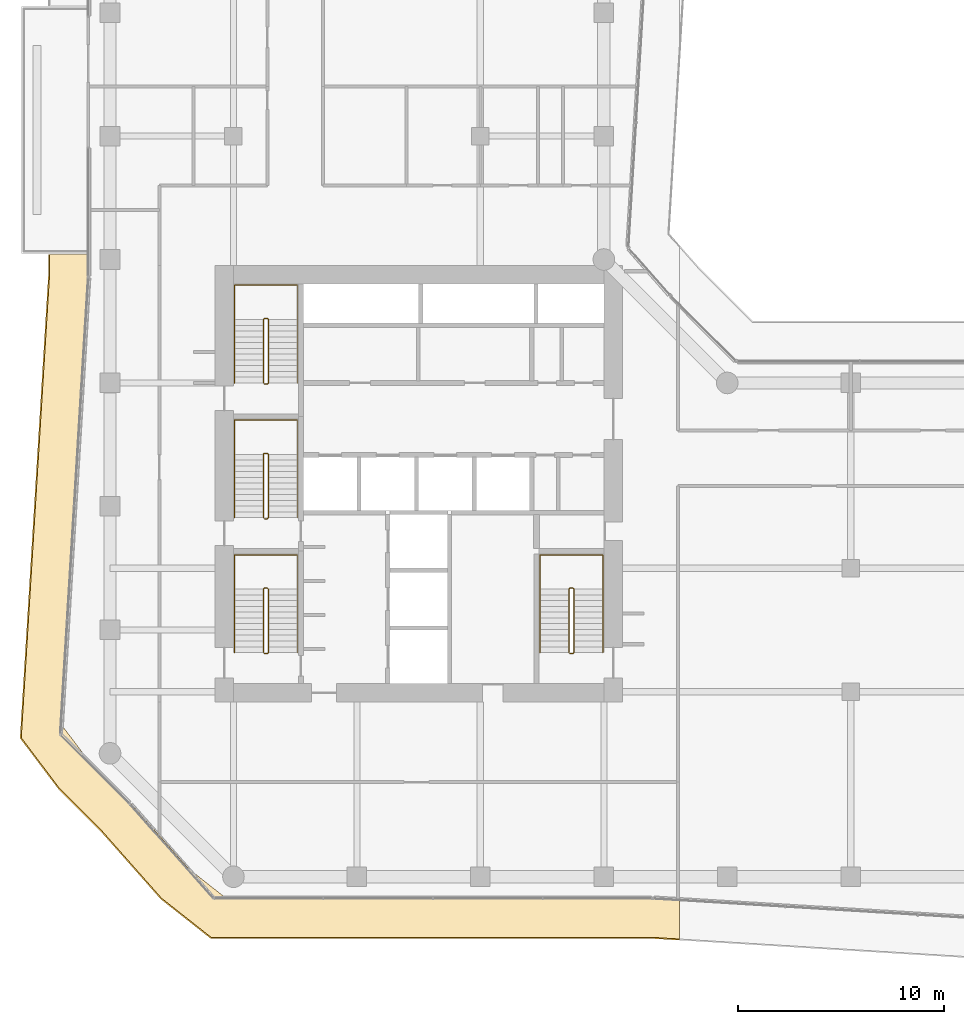
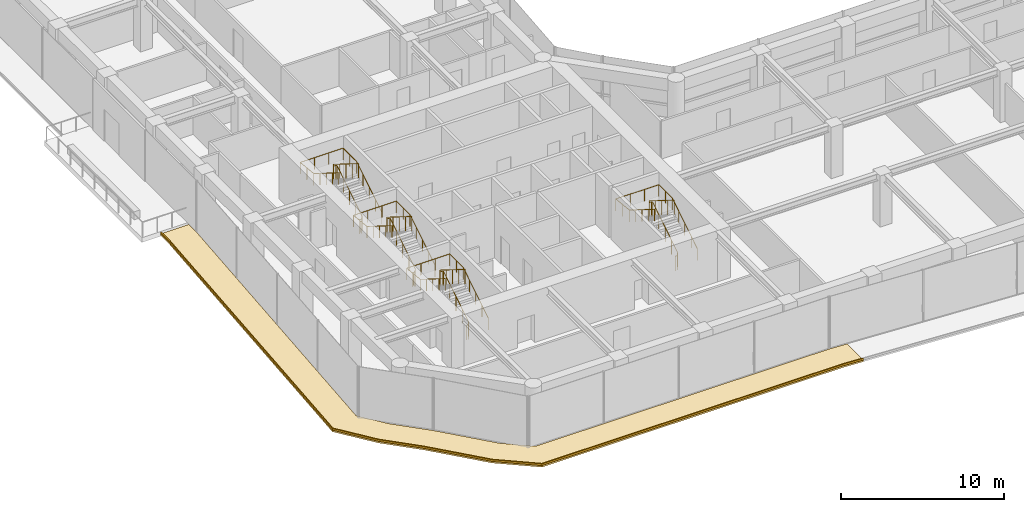
# One storey, part 26 of 27: 8 railings, 2 coverings.
"""IFC4 building model written with IfcOpenShell, lengths in metres."""

from ifc_helpers import new_model, si_unit, direction, frame, origin, origin_2d, place, context, subcontext, project, spatial, polyline, circle, outline, extrude, material, layer, layer_set, type_object, element, save


model = new_model("IFC4")

# Units and contexts
model_context = context("Model", 3, precision=1e-05, world=origin(), true_north=direction((0.0, 1.0)))
body_context = subcontext(model_context, "Body", "Model", "MODEL_VIEW")
ifc_project = project(units=[si_unit("LENGTHUNIT", "METRE"), si_unit("AREAUNIT", "SQUARE_METRE"), si_unit("VOLUMEUNIT", "CUBIC_METRE"), si_unit("PLANEANGLEUNIT", "RADIAN"), si_unit("MASSUNIT", "GRAM", prefix="KILO")], contexts=[model_context])

# Site, building, storey
site_placement = place(None, origin())
site = spatial("IfcSite", under=ifc_project, at=site_placement, CompositionType="ELEMENT")
building_placement = place(site_placement, origin())
building = spatial("IfcBuilding", under=site, at=building_placement, Name="Welwitschia Terrace Campus", CompositionType="ELEMENT")
storey_placement = place(building_placement, frame((0.0, 0.0, 37.39990234375)))
storey = spatial("IfcBuildingStorey", under=building, at=storey_placement, Name="L08", CompositionType="ELEMENT", Elevation=37.39990234375)

# Railings
ifc_material_1 = material(Name="Steel S355", Category="steel")
railing_type_1 = type_object("IfcRailingType", Name="Stair guard 1100", PredefinedType="GUARDRAIL", material=ifc_material_1)
railing_1_placement = place(storey_placement, frame((7.5, 6.85009765625, 0.0)))
element("IfcRailing", 1, at=railing_1_placement, inside=storey, type_object=railing_type_1, Name="L08 S1 stair guard", PredefinedType="GUARDRAIL", context=body_context, shape_type="SweptSolid", body=[
    extrude(circle(Radius=0.02392578125, at=origin_2d()), frame((0.0, 0.0, 1.076171875), z_axis=(1.0, 0.0, 0.0), x_axis=(0.0, 1.0, 0.0)), (0.0, 0.0, 1.0), 0.14990234375),
    extrude(circle(Radius=0.02392578125, at=origin_2d()), frame((0.14990234375, 0.0, 1.076171875), z_axis=(0.265155923931, 0.263862480399, 0.927399011991), x_axis=(-0.705375805398, 0.708833529934, 0.0)), (0.0, 0.0, 1.0), 0.188720703125),
    extrude(circle(Radius=0.02392578125, at=origin_2d()), frame((0.199951171875, 0.0498046875, 1.2509765625), z_axis=(0.0, 0.847998304005, 0.529998940003), x_axis=(-1.0, 0.0, 0.0)), (0.0, 0.0, 1.0), 3.632080078125),
    extrude(circle(Radius=0.02392578125, at=origin_2d()), frame((0.199951171875, 3.1298828125, 3.17626953125), z_axis=(-0.707106781187, 0.707106781187, 0.0), x_axis=(-0.707106781187, -0.707106781187, 0.0)), (0.0, 0.0, 1.0), 0.07080078125),
    extrude(circle(Radius=0.02392578125, at=origin_2d()), frame((0.14990234375, 3.179931640625, 3.17626953125), z_axis=(-1.0, 0.0, 0.0), x_axis=(0.0, -1.0, 0.0)), (0.0, 0.0, 1.0), 0.14990234375),
    extrude(circle(Radius=0.02392578125, at=origin_2d()), frame((0.0, 3.179931640625, 3.17626953125), z_axis=(-0.265065253269, -0.265065253269, 0.927081885822), x_axis=(0.707106781187, -0.707106781187, 0.0)), (0.0, 0.0, 1.0), 0.188720703125),
    extrude(circle(Radius=0.02392578125, at=origin_2d()), frame((-0.050048828125, 3.1298828125, 3.35107421875), z_axis=(0.0, -0.847998304005, 0.529998940003), x_axis=(1.0, 0.0, 0.0)), (0.0, 0.0, 1.0), 3.632080078125),
    extrude(circle(Radius=0.02099609375, at=origin_2d()), origin(), (0.0, 0.0, 1.0), 1.052001953125),
    extrude(circle(Radius=0.02099609375, at=origin_2d()), frame((0.14990234375, 0.0, 0.0)), (0.0, 0.0, 1.0), 1.052001953125),
    extrude(circle(Radius=0.02099609375, at=origin_2d()), frame((0.199951171875, 0.0498046875, 0.175048828125)), (0.0, 0.0, 1.0), 1.052001953125),
    extrude(circle(Radius=0.02099609375, at=origin_2d()), frame((0.199951171875, 0.81982421875, 0.65625)), (0.0, 0.0, 1.0), 1.052001953125),
    extrude(circle(Radius=0.02099609375, at=origin_2d()), frame((0.199951171875, 1.58984375, 1.1376953125)), (0.0, 0.0, 1.0), 1.052001953125),
    extrude(circle(Radius=0.02099609375, at=origin_2d()), frame((0.199951171875, 2.35986328125, 1.618896484375)), (0.0, 0.0, 1.0), 1.052001953125),
    extrude(circle(Radius=0.02099609375, at=origin_2d()), frame((0.199951171875, 3.1298828125, 2.10009765625)), (0.0, 0.0, 1.0), 1.052001953125),
    extrude(circle(Radius=0.02099609375, at=origin_2d()), frame((0.14990234375, 3.179931640625, 2.10009765625)), (0.0, 0.0, 1.0), 1.052001953125),
    extrude(circle(Radius=0.02099609375, at=origin_2d()), frame((0.0, 3.179931640625, 2.10009765625)), (0.0, 0.0, 1.0), 1.052001953125),
    extrude(circle(Radius=0.02099609375, at=origin_2d()), frame((-0.050048828125, 3.1298828125, 2.275146484375)), (0.0, 0.0, 1.0), 1.052001953125),
    extrude(circle(Radius=0.02099609375, at=origin_2d()), frame((-0.050048828125, 2.35986328125, 2.75634765625)), (0.0, 0.0, 1.0), 1.052001953125),
    extrude(circle(Radius=0.02099609375, at=origin_2d()), frame((-0.050048828125, 1.58984375, 3.23779296875)), (0.0, 0.0, 1.0), 1.052001953125),
    extrude(circle(Radius=0.02099609375, at=origin_2d()), frame((-0.050048828125, 0.81982421875, 3.718994140625)), (0.0, 0.0, 1.0), 1.052001953125),
    extrude(circle(Radius=0.02099609375, at=origin_2d()), frame((-0.050048828125, 0.0498046875, 4.2001953125)), (0.0, 0.0, 1.0), 1.052001953125),
])
railing_2_placement = place(storey_placement, frame((7.5, 13.39990234375, 0.0)))
element("IfcRailing", 2, at=railing_2_placement, inside=storey, type_object=railing_type_1, Name="L08 S3 stair guard", PredefinedType="GUARDRAIL", context=body_context, shape_type="SweptSolid", body=[
    extrude(circle(Radius=0.02392578125, at=origin_2d()), frame((0.0, 0.0, 1.076171875), z_axis=(1.0, 0.0, 0.0), x_axis=(0.0, 1.0, 0.0)), (0.0, 0.0, 1.0), 0.14990234375),
    extrude(circle(Radius=0.02392578125, at=origin_2d()), frame((0.14990234375, 0.0, 1.076171875), z_axis=(0.265065253269, 0.265065253269, 0.927081885822), x_axis=(-0.707106781187, 0.707106781187, 0.0)), (0.0, 0.0, 1.0), 0.188720703125),
    extrude(circle(Radius=0.02392578125, at=origin_2d()), frame((0.199951171875, 0.050048828125, 1.2509765625), z_axis=(0.0, 0.847998304005, 0.529998940003), x_axis=(-1.0, 0.0, 0.0)), (0.0, 0.0, 1.0), 3.632080078125),
    extrude(circle(Radius=0.02392578125, at=origin_2d()), frame((0.199951171875, 3.130126953125, 3.17626953125), z_axis=(-0.707106781187, 0.707106781187, 0.0), x_axis=(-0.707106781187, -0.707106781187, 0.0)), (0.0, 0.0, 1.0), 0.07080078125),
    extrude(circle(Radius=0.02392578125, at=origin_2d()), frame((0.14990234375, 3.18017578125, 3.17626953125), z_axis=(-1.0, 0.0, 0.0), x_axis=(0.0, -1.0, 0.0)), (0.0, 0.0, 1.0), 0.14990234375),
    extrude(circle(Radius=0.02392578125, at=origin_2d()), frame((0.0, 3.18017578125, 3.17626953125), z_axis=(-0.265065253269, -0.265065253269, 0.927081885822), x_axis=(0.707106781187, -0.707106781187, 0.0)), (0.0, 0.0, 1.0), 0.188720703125),
    extrude(circle(Radius=0.02392578125, at=origin_2d()), frame((-0.050048828125, 3.130126953125, 3.35107421875), z_axis=(0.0, -0.847998304005, 0.529998940003), x_axis=(1.0, 0.0, 0.0)), (0.0, 0.0, 1.0), 3.632080078125),
    extrude(circle(Radius=0.02099609375, at=origin_2d()), origin(), (0.0, 0.0, 1.0), 1.052001953125),
    extrude(circle(Radius=0.02099609375, at=origin_2d()), frame((0.14990234375, 0.0, 0.0)), (0.0, 0.0, 1.0), 1.052001953125),
    extrude(circle(Radius=0.02099609375, at=origin_2d()), frame((0.199951171875, 0.050048828125, 0.175048828125)), (0.0, 0.0, 1.0), 1.052001953125),
    extrude(circle(Radius=0.02099609375, at=origin_2d()), frame((0.199951171875, 0.820068359375, 0.65625)), (0.0, 0.0, 1.0), 1.052001953125),
    extrude(circle(Radius=0.02099609375, at=origin_2d()), frame((0.199951171875, 1.590087890625, 1.1376953125)), (0.0, 0.0, 1.0), 1.052001953125),
    extrude(circle(Radius=0.02099609375, at=origin_2d()), frame((0.199951171875, 2.360107421875, 1.618896484375)), (0.0, 0.0, 1.0), 1.052001953125),
    extrude(circle(Radius=0.02099609375, at=origin_2d()), frame((0.199951171875, 3.130126953125, 2.10009765625)), (0.0, 0.0, 1.0), 1.052001953125),
    extrude(circle(Radius=0.02099609375, at=origin_2d()), frame((0.14990234375, 3.18017578125, 2.10009765625)), (0.0, 0.0, 1.0), 1.052001953125),
    extrude(circle(Radius=0.02099609375, at=origin_2d()), frame((0.0, 3.18017578125, 2.10009765625)), (0.0, 0.0, 1.0), 1.052001953125),
    extrude(circle(Radius=0.02099609375, at=origin_2d()), frame((-0.050048828125, 3.130126953125, 2.275146484375)), (0.0, 0.0, 1.0), 1.052001953125),
    extrude(circle(Radius=0.02099609375, at=origin_2d()), frame((-0.050048828125, 2.360107421875, 2.75634765625)), (0.0, 0.0, 1.0), 1.052001953125),
    extrude(circle(Radius=0.02099609375, at=origin_2d()), frame((-0.050048828125, 1.590087890625, 3.23779296875)), (0.0, 0.0, 1.0), 1.052001953125),
    extrude(circle(Radius=0.02099609375, at=origin_2d()), frame((-0.050048828125, 0.820068359375, 3.718994140625)), (0.0, 0.0, 1.0), 1.052001953125),
    extrude(circle(Radius=0.02099609375, at=origin_2d()), frame((-0.050048828125, 0.050048828125, 4.2001953125)), (0.0, 0.0, 1.0), 1.052001953125),
])
railing_3_placement = place(storey_placement, frame((7.5, 19.949951171875, 0.0)))
element("IfcRailing", 3, at=railing_3_placement, inside=storey, type_object=railing_type_1, Name="L08 S4 stair guard", PredefinedType="GUARDRAIL", context=body_context, shape_type="SweptSolid", body=[
    extrude(circle(Radius=0.02392578125, at=origin_2d()), frame((0.0, 0.0, 1.076171875), z_axis=(1.0, 0.0, 0.0), x_axis=(0.0, 1.0, 0.0)), (0.0, 0.0, 1.0), 0.14990234375),
    extrude(circle(Radius=0.02392578125, at=origin_2d()), frame((0.14990234375, 0.0, 1.076171875), z_axis=(0.265065253269, 0.265065253269, 0.927081885822), x_axis=(-0.707106781187, 0.707106781187, 0.0)), (0.0, 0.0, 1.0), 0.188720703125),
    extrude(circle(Radius=0.02392578125, at=origin_2d()), frame((0.199951171875, 0.050048828125, 1.2509765625), z_axis=(0.0, 0.847998304005, 0.529998940003), x_axis=(-1.0, 0.0, 0.0)), (0.0, 0.0, 1.0), 3.632080078125),
    extrude(circle(Radius=0.02392578125, at=origin_2d()), frame((0.199951171875, 3.130126953125, 3.17626953125), z_axis=(-0.708833529934, 0.705375805398, 0.0), x_axis=(-0.705375805398, -0.708833529934, 0.0)), (0.0, 0.0, 1.0), 0.070556640625),
    extrude(circle(Radius=0.02392578125, at=origin_2d()), frame((0.14990234375, 3.179931640625, 3.17626953125), z_axis=(-1.0, 0.0, 0.0), x_axis=(0.0, -1.0, 0.0)), (0.0, 0.0, 1.0), 0.14990234375),
    extrude(circle(Radius=0.02392578125, at=origin_2d()), frame((0.0, 3.179931640625, 3.17626953125), z_axis=(-0.265155923931, -0.263862480399, 0.927399011991), x_axis=(0.705375805398, -0.708833529934, 0.0)), (0.0, 0.0, 1.0), 0.188720703125),
    extrude(circle(Radius=0.02392578125, at=origin_2d()), frame((-0.050048828125, 3.130126953125, 3.35107421875), z_axis=(0.0, -0.847998304005, 0.529998940003), x_axis=(1.0, 0.0, 0.0)), (0.0, 0.0, 1.0), 3.632080078125),
    extrude(circle(Radius=0.02099609375, at=origin_2d()), origin(), (0.0, 0.0, 1.0), 1.052001953125),
    extrude(circle(Radius=0.02099609375, at=origin_2d()), frame((0.14990234375, 0.0, 0.0)), (0.0, 0.0, 1.0), 1.052001953125),
    extrude(circle(Radius=0.02099609375, at=origin_2d()), frame((0.199951171875, 0.050048828125, 0.175048828125)), (0.0, 0.0, 1.0), 1.052001953125),
    extrude(circle(Radius=0.02099609375, at=origin_2d()), frame((0.199951171875, 0.820068359375, 0.65625)), (0.0, 0.0, 1.0), 1.052001953125),
    extrude(circle(Radius=0.02099609375, at=origin_2d()), frame((0.199951171875, 1.590087890625, 1.1376953125)), (0.0, 0.0, 1.0), 1.052001953125),
    extrude(circle(Radius=0.02099609375, at=origin_2d()), frame((0.199951171875, 2.360107421875, 1.618896484375)), (0.0, 0.0, 1.0), 1.052001953125),
    extrude(circle(Radius=0.02099609375, at=origin_2d()), frame((0.199951171875, 3.130126953125, 2.10009765625)), (0.0, 0.0, 1.0), 1.052001953125),
    extrude(circle(Radius=0.02099609375, at=origin_2d()), frame((0.14990234375, 3.179931640625, 2.10009765625)), (0.0, 0.0, 1.0), 1.052001953125),
    extrude(circle(Radius=0.02099609375, at=origin_2d()), frame((0.0, 3.179931640625, 2.10009765625)), (0.0, 0.0, 1.0), 1.052001953125),
    extrude(circle(Radius=0.02099609375, at=origin_2d()), frame((-0.050048828125, 3.130126953125, 2.275146484375)), (0.0, 0.0, 1.0), 1.052001953125),
    extrude(circle(Radius=0.02099609375, at=origin_2d()), frame((-0.050048828125, 2.360107421875, 2.75634765625)), (0.0, 0.0, 1.0), 1.052001953125),
    extrude(circle(Radius=0.02099609375, at=origin_2d()), frame((-0.050048828125, 1.590087890625, 3.23779296875)), (0.0, 0.0, 1.0), 1.052001953125),
    extrude(circle(Radius=0.02099609375, at=origin_2d()), frame((-0.050048828125, 0.820068359375, 3.718994140625)), (0.0, 0.0, 1.0), 1.052001953125),
    extrude(circle(Radius=0.02099609375, at=origin_2d()), frame((-0.050048828125, 0.050048828125, 4.2001953125)), (0.0, 0.0, 1.0), 1.052001953125),
])
railing_4_placement = place(storey_placement, frame((22.35009765625, 6.85009765625, 0.0)))
element("IfcRailing", 4, at=railing_4_placement, inside=storey, type_object=railing_type_1, Name="L08 S2 stair guard", PredefinedType="GUARDRAIL", context=body_context, shape_type="SweptSolid", body=[
    extrude(circle(Radius=0.02392578125, at=origin_2d()), frame((0.0, 0.0, 1.076171875), z_axis=(1.0, 0.0, 0.0), x_axis=(0.0, 1.0, 0.0)), (0.0, 0.0, 1.0), 0.14990234375),
    extrude(circle(Radius=0.02392578125, at=origin_2d()), frame((0.14990234375, 0.0, 1.076171875), z_axis=(0.265155923931, 0.263862480399, 0.927399011991), x_axis=(-0.705375805398, 0.708833529934, 0.0)), (0.0, 0.0, 1.0), 0.188720703125),
    extrude(circle(Radius=0.02392578125, at=origin_2d()), frame((0.199951171875, 0.0498046875, 1.2509765625), z_axis=(0.0, 0.847998304005, 0.529998940003), x_axis=(-1.0, 0.0, 0.0)), (0.0, 0.0, 1.0), 3.632080078125),
    extrude(circle(Radius=0.02392578125, at=origin_2d()), frame((0.199951171875, 3.1298828125, 3.17626953125), z_axis=(-0.707106781187, 0.707106781187, 0.0), x_axis=(-0.707106781187, -0.707106781187, 0.0)), (0.0, 0.0, 1.0), 0.07080078125),
    extrude(circle(Radius=0.02392578125, at=origin_2d()), frame((0.14990234375, 3.179931640625, 3.17626953125), z_axis=(-1.0, 0.0, 0.0), x_axis=(0.0, -1.0, 0.0)), (0.0, 0.0, 1.0), 0.14990234375),
    extrude(circle(Radius=0.02392578125, at=origin_2d()), frame((0.0, 3.179931640625, 3.17626953125), z_axis=(-0.265065253269, -0.265065253269, 0.927081885822), x_axis=(0.707106781187, -0.707106781187, 0.0)), (0.0, 0.0, 1.0), 0.188720703125),
    extrude(circle(Radius=0.02392578125, at=origin_2d()), frame((-0.050048828125, 3.1298828125, 3.35107421875), z_axis=(0.0, -0.847998304005, 0.529998940003), x_axis=(1.0, 0.0, 0.0)), (0.0, 0.0, 1.0), 3.632080078125),
    extrude(circle(Radius=0.02099609375, at=origin_2d()), origin(), (0.0, 0.0, 1.0), 1.052001953125),
    extrude(circle(Radius=0.02099609375, at=origin_2d()), frame((0.14990234375, 0.0, 0.0)), (0.0, 0.0, 1.0), 1.052001953125),
    extrude(circle(Radius=0.02099609375, at=origin_2d()), frame((0.199951171875, 0.0498046875, 0.175048828125)), (0.0, 0.0, 1.0), 1.052001953125),
    extrude(circle(Radius=0.02099609375, at=origin_2d()), frame((0.199951171875, 0.81982421875, 0.65625)), (0.0, 0.0, 1.0), 1.052001953125),
    extrude(circle(Radius=0.02099609375, at=origin_2d()), frame((0.199951171875, 1.58984375, 1.1376953125)), (0.0, 0.0, 1.0), 1.052001953125),
    extrude(circle(Radius=0.02099609375, at=origin_2d()), frame((0.199951171875, 2.35986328125, 1.618896484375)), (0.0, 0.0, 1.0), 1.052001953125),
    extrude(circle(Radius=0.02099609375, at=origin_2d()), frame((0.199951171875, 3.1298828125, 2.10009765625)), (0.0, 0.0, 1.0), 1.052001953125),
    extrude(circle(Radius=0.02099609375, at=origin_2d()), frame((0.14990234375, 3.179931640625, 2.10009765625)), (0.0, 0.0, 1.0), 1.052001953125),
    extrude(circle(Radius=0.02099609375, at=origin_2d()), frame((0.0, 3.179931640625, 2.10009765625)), (0.0, 0.0, 1.0), 1.052001953125),
    extrude(circle(Radius=0.02099609375, at=origin_2d()), frame((-0.050048828125, 3.1298828125, 2.275146484375)), (0.0, 0.0, 1.0), 1.052001953125),
    extrude(circle(Radius=0.02099609375, at=origin_2d()), frame((-0.050048828125, 2.35986328125, 2.75634765625)), (0.0, 0.0, 1.0), 1.052001953125),
    extrude(circle(Radius=0.02099609375, at=origin_2d()), frame((-0.050048828125, 1.58984375, 3.23779296875)), (0.0, 0.0, 1.0), 1.052001953125),
    extrude(circle(Radius=0.02099609375, at=origin_2d()), frame((-0.050048828125, 0.81982421875, 3.718994140625)), (0.0, 0.0, 1.0), 1.052001953125),
    extrude(circle(Radius=0.02099609375, at=origin_2d()), frame((-0.050048828125, 0.0498046875, 4.2001953125)), (0.0, 0.0, 1.0), 1.052001953125),
])
ifc_material_2 = material(Name="Steel S355", Category="steel")
railing_type_2 = type_object("IfcRailingType", Name="Stair handrail 900", PredefinedType="HANDRAIL", material=ifc_material_2)
railing_5_placement = place(storey_placement, frame((9.10009765625, 6.89990234375, 0.175048828125)))
element("IfcRailing", 5, at=railing_5_placement, inside=storey, type_object=railing_type_2, Name="L08 S1 stair handrail", PredefinedType="HANDRAIL", context=body_context, shape_type="SweptSolid", body=[
    extrude(circle(Radius=0.02392578125, at=origin_2d()), frame((0.0, 0.0, 0.8759765625), z_axis=(0.0, 0.847998304005, 0.529998940003), x_axis=(-1.0, 0.0, 0.0)), (0.0, 0.0, 1.0), 3.632080078125),
    extrude(circle(Radius=0.02392578125, at=origin_2d()), frame((0.0, 3.080078125, 2.80078125), z_axis=(0.0, 1.0, 0.0), x_axis=(-1.0, 0.0, 0.0)), (0.0, 0.0, 1.0), 1.669921875),
    extrude(circle(Radius=0.02392578125, at=origin_2d()), frame((0.0, 4.75, 2.80078125), z_axis=(-1.0, 0.0, 0.0), x_axis=(0.0, -1.0, 0.0)), (0.0, 0.0, 1.0), 3.050048828125),
    extrude(circle(Radius=0.02392578125, at=origin_2d()), frame((-3.050048828125, 4.75, 2.80078125), z_axis=(0.0, -0.99455077262, 0.104253348533), x_axis=(1.0, 0.0, 0.0)), (0.0, 0.0, 1.0), 1.678955078125),
    extrude(circle(Radius=0.02392578125, at=origin_2d()), frame((-3.050048828125, 3.080078125, 2.97607421875), z_axis=(0.0, -0.847998304005, 0.529998940003), x_axis=(1.0, 0.0, 0.0)), (0.0, 0.0, 1.0), 3.632080078125),
    extrude(circle(Radius=0.02099609375, at=origin_2d()), origin(), (0.0, 0.0, 1.0), 0.851806640625),
    extrude(circle(Radius=0.02099609375, at=origin_2d()), frame((0.0, 0.77001953125, 0.481201171875)), (0.0, 0.0, 1.0), 0.851806640625),
    extrude(circle(Radius=0.02099609375, at=origin_2d()), frame((0.0, 1.5400390625, 0.96240234375)), (0.0, 0.0, 1.0), 0.851806640625),
    extrude(circle(Radius=0.02099609375, at=origin_2d()), frame((0.0, 2.31005859375, 1.44384765625)), (0.0, 0.0, 1.0), 0.851806640625),
    extrude(circle(Radius=0.02099609375, at=origin_2d()), frame((0.0, 3.080078125, 1.925048828125)), (0.0, 0.0, 1.0), 0.851806640625),
    extrude(circle(Radius=0.02099609375, at=origin_2d()), frame((0.0, 3.9150390625, 1.925048828125)), (0.0, 0.0, 1.0), 0.851806640625),
    extrude(circle(Radius=0.02099609375, at=origin_2d()), frame((0.0, 4.75, 1.925048828125)), (0.0, 0.0, 1.0), 0.851806640625),
    extrude(circle(Radius=0.02099609375, at=origin_2d()), frame((-1.0166015625, 4.75, 1.925048828125)), (0.0, 0.0, 1.0), 0.851806640625),
    extrude(circle(Radius=0.02099609375, at=origin_2d()), frame((-2.033447265625, 4.75, 1.925048828125)), (0.0, 0.0, 1.0), 0.851806640625),
    extrude(circle(Radius=0.02099609375, at=origin_2d()), frame((-3.050048828125, 4.75, 1.925048828125)), (0.0, 0.0, 1.0), 0.851806640625),
    extrude(circle(Radius=0.02099609375, at=origin_2d()), frame((-3.050048828125, 3.9150390625, 2.0126953125)), (0.0, 0.0, 1.0), 0.851806640625),
    extrude(circle(Radius=0.02099609375, at=origin_2d()), frame((-3.050048828125, 3.080078125, 2.10009765625)), (0.0, 0.0, 1.0), 0.851806640625),
    extrude(circle(Radius=0.02099609375, at=origin_2d()), frame((-3.050048828125, 2.31005859375, 2.581298828125)), (0.0, 0.0, 1.0), 0.851806640625),
    extrude(circle(Radius=0.02099609375, at=origin_2d()), frame((-3.050048828125, 1.5400390625, 3.0625)), (0.0, 0.0, 1.0), 0.851806640625),
    extrude(circle(Radius=0.02099609375, at=origin_2d()), frame((-3.050048828125, 0.77001953125, 3.5439453125)), (0.0, 0.0, 1.0), 0.851806640625),
    extrude(circle(Radius=0.02099609375, at=origin_2d()), frame((-3.050048828125, 0.0, 4.025146484375)), (0.0, 0.0, 1.0), 0.851806640625),
])
railing_6_placement = place(storey_placement, frame((9.10009765625, 13.449951171875, 0.175048828125)))
element("IfcRailing", 6, at=railing_6_placement, inside=storey, type_object=railing_type_2, Name="L08 S3 stair handrail", PredefinedType="HANDRAIL", context=body_context, shape_type="SweptSolid", body=[
    extrude(circle(Radius=0.02392578125, at=origin_2d()), frame((0.0, 0.0, 0.8759765625), z_axis=(0.0, 0.847998304005, 0.529998940003), x_axis=(-1.0, 0.0, 0.0)), (0.0, 0.0, 1.0), 3.632080078125),
    extrude(circle(Radius=0.02392578125, at=origin_2d()), frame((0.0, 3.080078125, 2.80078125), z_axis=(0.0, 1.0, 0.0), x_axis=(-1.0, 0.0, 0.0)), (0.0, 0.0, 1.0), 1.669921875),
    extrude(circle(Radius=0.02392578125, at=origin_2d()), frame((0.0, 4.75, 2.80078125), z_axis=(-1.0, 0.0, 0.0), x_axis=(0.0, -1.0, 0.0)), (0.0, 0.0, 1.0), 3.050048828125),
    extrude(circle(Radius=0.02392578125, at=origin_2d()), frame((-3.050048828125, 4.75, 2.80078125), z_axis=(0.0, -0.99455077262, 0.104253348533), x_axis=(1.0, 0.0, 0.0)), (0.0, 0.0, 1.0), 1.678955078125),
    extrude(circle(Radius=0.02392578125, at=origin_2d()), frame((-3.050048828125, 3.080078125, 2.97607421875), z_axis=(0.0, -0.847998304005, 0.529998940003), x_axis=(1.0, 0.0, 0.0)), (0.0, 0.0, 1.0), 3.632080078125),
    extrude(circle(Radius=0.02099609375, at=origin_2d()), origin(), (0.0, 0.0, 1.0), 0.851806640625),
    extrude(circle(Radius=0.02099609375, at=origin_2d()), frame((0.0, 0.77001953125, 0.481201171875)), (0.0, 0.0, 1.0), 0.851806640625),
    extrude(circle(Radius=0.02099609375, at=origin_2d()), frame((0.0, 1.5400390625, 0.96240234375)), (0.0, 0.0, 1.0), 0.851806640625),
    extrude(circle(Radius=0.02099609375, at=origin_2d()), frame((0.0, 2.31005859375, 1.44384765625)), (0.0, 0.0, 1.0), 0.851806640625),
    extrude(circle(Radius=0.02099609375, at=origin_2d()), frame((0.0, 3.080078125, 1.925048828125)), (0.0, 0.0, 1.0), 0.851806640625),
    extrude(circle(Radius=0.02099609375, at=origin_2d()), frame((0.0, 3.9150390625, 1.925048828125)), (0.0, 0.0, 1.0), 0.851806640625),
    extrude(circle(Radius=0.02099609375, at=origin_2d()), frame((0.0, 4.75, 1.925048828125)), (0.0, 0.0, 1.0), 0.851806640625),
    extrude(circle(Radius=0.02099609375, at=origin_2d()), frame((-1.0166015625, 4.75, 1.925048828125)), (0.0, 0.0, 1.0), 0.851806640625),
    extrude(circle(Radius=0.02099609375, at=origin_2d()), frame((-2.033447265625, 4.75, 1.925048828125)), (0.0, 0.0, 1.0), 0.851806640625),
    extrude(circle(Radius=0.02099609375, at=origin_2d()), frame((-3.050048828125, 4.75, 1.925048828125)), (0.0, 0.0, 1.0), 0.851806640625),
    extrude(circle(Radius=0.02099609375, at=origin_2d()), frame((-3.050048828125, 3.9150390625, 2.0126953125)), (0.0, 0.0, 1.0), 0.851806640625),
    extrude(circle(Radius=0.02099609375, at=origin_2d()), frame((-3.050048828125, 3.080078125, 2.10009765625)), (0.0, 0.0, 1.0), 0.851806640625),
    extrude(circle(Radius=0.02099609375, at=origin_2d()), frame((-3.050048828125, 2.31005859375, 2.581298828125)), (0.0, 0.0, 1.0), 0.851806640625),
    extrude(circle(Radius=0.02099609375, at=origin_2d()), frame((-3.050048828125, 1.5400390625, 3.0625)), (0.0, 0.0, 1.0), 0.851806640625),
    extrude(circle(Radius=0.02099609375, at=origin_2d()), frame((-3.050048828125, 0.77001953125, 3.5439453125)), (0.0, 0.0, 1.0), 0.851806640625),
    extrude(circle(Radius=0.02099609375, at=origin_2d()), frame((-3.050048828125, 0.0, 4.025146484375)), (0.0, 0.0, 1.0), 0.851806640625),
])
railing_7_placement = place(storey_placement, frame((9.10009765625, 20.0, 0.175048828125)))
element("IfcRailing", 7, at=railing_7_placement, inside=storey, type_object=railing_type_2, Name="L08 S4 stair handrail", PredefinedType="HANDRAIL", context=body_context, shape_type="SweptSolid", body=[
    extrude(circle(Radius=0.02392578125, at=origin_2d()), frame((0.0, 0.0, 0.8759765625), z_axis=(0.0, 0.847998304005, 0.529998940003), x_axis=(-1.0, 0.0, 0.0)), (0.0, 0.0, 1.0), 3.632080078125),
    extrude(circle(Radius=0.02392578125, at=origin_2d()), frame((0.0, 3.080078125, 2.80078125), z_axis=(0.0, 1.0, 0.0), x_axis=(-1.0, 0.0, 0.0)), (0.0, 0.0, 1.0), 1.669921875),
    extrude(circle(Radius=0.02392578125, at=origin_2d()), frame((0.0, 4.75, 2.80078125), z_axis=(-1.0, 0.0, 0.0), x_axis=(0.0, -1.0, 0.0)), (0.0, 0.0, 1.0), 3.050048828125),
    extrude(circle(Radius=0.02392578125, at=origin_2d()), frame((-3.050048828125, 4.75, 2.80078125), z_axis=(0.0, -0.99455077262, 0.104253348533), x_axis=(1.0, 0.0, 0.0)), (0.0, 0.0, 1.0), 1.678955078125),
    extrude(circle(Radius=0.02392578125, at=origin_2d()), frame((-3.050048828125, 3.080078125, 2.97607421875), z_axis=(0.0, -0.847998304005, 0.529998940003), x_axis=(1.0, 0.0, 0.0)), (0.0, 0.0, 1.0), 3.632080078125),
    extrude(circle(Radius=0.02099609375, at=origin_2d()), origin(), (0.0, 0.0, 1.0), 0.851806640625),
    extrude(circle(Radius=0.02099609375, at=origin_2d()), frame((0.0, 0.77001953125, 0.481201171875)), (0.0, 0.0, 1.0), 0.851806640625),
    extrude(circle(Radius=0.02099609375, at=origin_2d()), frame((0.0, 1.5400390625, 0.96240234375)), (0.0, 0.0, 1.0), 0.851806640625),
    extrude(circle(Radius=0.02099609375, at=origin_2d()), frame((0.0, 2.31005859375, 1.44384765625)), (0.0, 0.0, 1.0), 0.851806640625),
    extrude(circle(Radius=0.02099609375, at=origin_2d()), frame((0.0, 3.080078125, 1.925048828125)), (0.0, 0.0, 1.0), 0.851806640625),
    extrude(circle(Radius=0.02099609375, at=origin_2d()), frame((0.0, 3.9150390625, 1.925048828125)), (0.0, 0.0, 1.0), 0.851806640625),
    extrude(circle(Radius=0.02099609375, at=origin_2d()), frame((0.0, 4.75, 1.925048828125)), (0.0, 0.0, 1.0), 0.851806640625),
    extrude(circle(Radius=0.02099609375, at=origin_2d()), frame((-1.0166015625, 4.75, 1.925048828125)), (0.0, 0.0, 1.0), 0.851806640625),
    extrude(circle(Radius=0.02099609375, at=origin_2d()), frame((-2.033447265625, 4.75, 1.925048828125)), (0.0, 0.0, 1.0), 0.851806640625),
    extrude(circle(Radius=0.02099609375, at=origin_2d()), frame((-3.050048828125, 4.75, 1.925048828125)), (0.0, 0.0, 1.0), 0.851806640625),
    extrude(circle(Radius=0.02099609375, at=origin_2d()), frame((-3.050048828125, 3.9150390625, 2.0126953125)), (0.0, 0.0, 1.0), 0.851806640625),
    extrude(circle(Radius=0.02099609375, at=origin_2d()), frame((-3.050048828125, 3.080078125, 2.10009765625)), (0.0, 0.0, 1.0), 0.851806640625),
    extrude(circle(Radius=0.02099609375, at=origin_2d()), frame((-3.050048828125, 2.31005859375, 2.581298828125)), (0.0, 0.0, 1.0), 0.851806640625),
    extrude(circle(Radius=0.02099609375, at=origin_2d()), frame((-3.050048828125, 1.5400390625, 3.0625)), (0.0, 0.0, 1.0), 0.851806640625),
    extrude(circle(Radius=0.02099609375, at=origin_2d()), frame((-3.050048828125, 0.77001953125, 3.5439453125)), (0.0, 0.0, 1.0), 0.851806640625),
    extrude(circle(Radius=0.02099609375, at=origin_2d()), frame((-3.050048828125, 0.0, 4.025146484375)), (0.0, 0.0, 1.0), 0.851806640625),
])
railing_8_placement = place(storey_placement, frame((23.949951171875, 6.89990234375, 0.175048828125)))
element("IfcRailing", 8, at=railing_8_placement, inside=storey, type_object=railing_type_2, Name="L08 S2 stair handrail", PredefinedType="HANDRAIL", context=body_context, shape_type="SweptSolid", body=[
    extrude(circle(Radius=0.02392578125, at=origin_2d()), frame((0.0, 0.0, 0.8759765625), z_axis=(0.0, 0.847998304005, 0.529998940003), x_axis=(-1.0, 0.0, 0.0)), (0.0, 0.0, 1.0), 3.632080078125),
    extrude(circle(Radius=0.02392578125, at=origin_2d()), frame((0.0, 3.080078125, 2.80078125), z_axis=(0.0, 1.0, 0.0), x_axis=(-1.0, 0.0, 0.0)), (0.0, 0.0, 1.0), 1.669921875),
    extrude(circle(Radius=0.02392578125, at=origin_2d()), frame((0.0, 4.75, 2.80078125), z_axis=(-1.0, 0.0, 0.0), x_axis=(0.0, -1.0, 0.0)), (0.0, 0.0, 1.0), 3.050048828125),
    extrude(circle(Radius=0.02392578125, at=origin_2d()), frame((-3.050048828125, 4.75, 2.80078125), z_axis=(0.0, -0.99455077262, 0.104253348533), x_axis=(1.0, 0.0, 0.0)), (0.0, 0.0, 1.0), 1.678955078125),
    extrude(circle(Radius=0.02392578125, at=origin_2d()), frame((-3.050048828125, 3.080078125, 2.97607421875), z_axis=(0.0, -0.847998304005, 0.529998940003), x_axis=(1.0, 0.0, 0.0)), (0.0, 0.0, 1.0), 3.632080078125),
    extrude(circle(Radius=0.02099609375, at=origin_2d()), origin(), (0.0, 0.0, 1.0), 0.851806640625),
    extrude(circle(Radius=0.02099609375, at=origin_2d()), frame((0.0, 0.77001953125, 0.481201171875)), (0.0, 0.0, 1.0), 0.851806640625),
    extrude(circle(Radius=0.02099609375, at=origin_2d()), frame((0.0, 1.5400390625, 0.96240234375)), (0.0, 0.0, 1.0), 0.851806640625),
    extrude(circle(Radius=0.02099609375, at=origin_2d()), frame((0.0, 2.31005859375, 1.44384765625)), (0.0, 0.0, 1.0), 0.851806640625),
    extrude(circle(Radius=0.02099609375, at=origin_2d()), frame((0.0, 3.080078125, 1.925048828125)), (0.0, 0.0, 1.0), 0.851806640625),
    extrude(circle(Radius=0.02099609375, at=origin_2d()), frame((0.0, 3.9150390625, 1.925048828125)), (0.0, 0.0, 1.0), 0.851806640625),
    extrude(circle(Radius=0.02099609375, at=origin_2d()), frame((0.0, 4.75, 1.925048828125)), (0.0, 0.0, 1.0), 0.851806640625),
    extrude(circle(Radius=0.02099609375, at=origin_2d()), frame((-1.0166015625, 4.75, 1.925048828125)), (0.0, 0.0, 1.0), 0.851806640625),
    extrude(circle(Radius=0.02099609375, at=origin_2d()), frame((-2.033447265625, 4.75, 1.925048828125)), (0.0, 0.0, 1.0), 0.851806640625),
    extrude(circle(Radius=0.02099609375, at=origin_2d()), frame((-3.050048828125, 4.75, 1.925048828125)), (0.0, 0.0, 1.0), 0.851806640625),
    extrude(circle(Radius=0.02099609375, at=origin_2d()), frame((-3.050048828125, 3.9150390625, 2.0126953125)), (0.0, 0.0, 1.0), 0.851806640625),
    extrude(circle(Radius=0.02099609375, at=origin_2d()), frame((-3.050048828125, 3.080078125, 2.10009765625)), (0.0, 0.0, 1.0), 0.851806640625),
    extrude(circle(Radius=0.02099609375, at=origin_2d()), frame((-3.050048828125, 2.31005859375, 2.581298828125)), (0.0, 0.0, 1.0), 0.851806640625),
    extrude(circle(Radius=0.02099609375, at=origin_2d()), frame((-3.050048828125, 1.5400390625, 3.0625)), (0.0, 0.0, 1.0), 0.851806640625),
    extrude(circle(Radius=0.02099609375, at=origin_2d()), frame((-3.050048828125, 0.77001953125, 3.5439453125)), (0.0, 0.0, 1.0), 0.851806640625),
    extrude(circle(Radius=0.02099609375, at=origin_2d()), frame((-3.050048828125, 0.0, 4.025146484375)), (0.0, 0.0, 1.0), 0.851806640625),
])

# Coverings
ifc_material_3 = material(Name="Bronze anodised aluminium", Category="aluminium")
ifc_layer_1 = layer(ifc_material_3, 0.1201171875)
ifc_layer_set_1 = layer_set([ifc_layer_1], Name="Bronze anodised aluminium")
covering_type_1 = type_object("IfcCoveringType", Name="Sunshade band 2000", PredefinedType="USERDEFINED", material=ifc_layer_set_1)
covering_1_placement = place(storey_placement, frame((0.0, 0.0, -0.25)))
element("IfcCovering", 9, at=covering_1_placement, inside=storey, type_object=covering_type_1, Name="SUNSHADE L08.SW1", ObjectType="SUNSHADE", PredefinedType="USERDEFINED", context=body_context, shape_type="SweptSolid", body=[
    extrude(outline(polyline([(26.312744140625, -7.0), (4.891845703125, -7.0), (2.459228515625, -5.0810546875), (-0.451416015625, -1.791259765625), (-2.512939453125, 0.270263671875), (-4.37451171875, 2.7392578125), (-3.0, 25.2099609375), (-3.0, 26.242919921875), (-1.0, 26.242919921875), (-1.0, 25.148681640625), (-2.3330078125, 3.35400390625), (-1.0, 1.585693359375), (1.006103515625, -0.420166015625), (3.83837890625, -3.62158203125), (5.585693359375, -5.0), (26.373779296875, -5.0), (27.6669921875, -5.0791015625), (27.6669921875, -7.082763671875), (26.312744140625, -7.0)])), origin(), (0.0, 0.0, 1.0), 0.1201171875),
])
ifc_material_4 = material(Name="Bronze anodised aluminium", Category="aluminium")
ifc_layer_2 = layer(ifc_material_4, 0.06005859375)
ifc_layer_set_2 = layer_set([ifc_layer_2], Name="Bronze anodised aluminium")
covering_type_2 = type_object("IfcCoveringType", Name="Sunshade lip 60", PredefinedType="USERDEFINED", material=ifc_layer_set_2)
covering_2_placement = place(storey_placement, frame((0.0, 0.0, -0.1298828125)))
element("IfcCovering", 10, at=covering_2_placement, inside=storey, type_object=covering_type_2, Name="SUNSHADE LIP L08.SW1.0", ObjectType="SUNSHADE", PredefinedType="USERDEFINED", context=body_context, shape_type="SweptSolid", body=[
    extrude(outline(polyline([(4.891845703125, -7.0), (2.459228515625, -5.0810546875), (-0.451416015625, -1.791259765625), (-2.512939453125, 0.270263671875), (-4.37451171875, 2.7392578125), (-3.0, 25.2099609375), (-3.0, 26.242919921875), (-2.93994140625, 26.242919921875), (-2.93994140625, 25.2080078125), (-4.31298828125, 2.7578125), (-2.467529296875, 0.309814453125), (-0.40771484375, -1.75), (2.50048828125, -5.037353515625), (4.91259765625, -6.93994140625), (26.314453125, -6.93994140625), (27.6669921875, -7.022705078125), (27.6669921875, -7.082763671875), (26.312744140625, -7.0), (4.891845703125, -7.0)])), origin(), (0.0, 0.0, 1.0), 0.1298828125),
])

save(model, "model.ifc")
